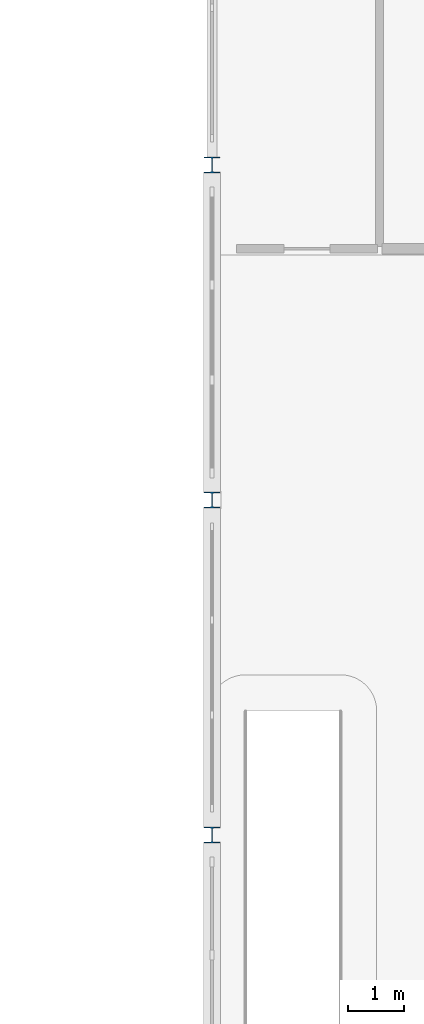
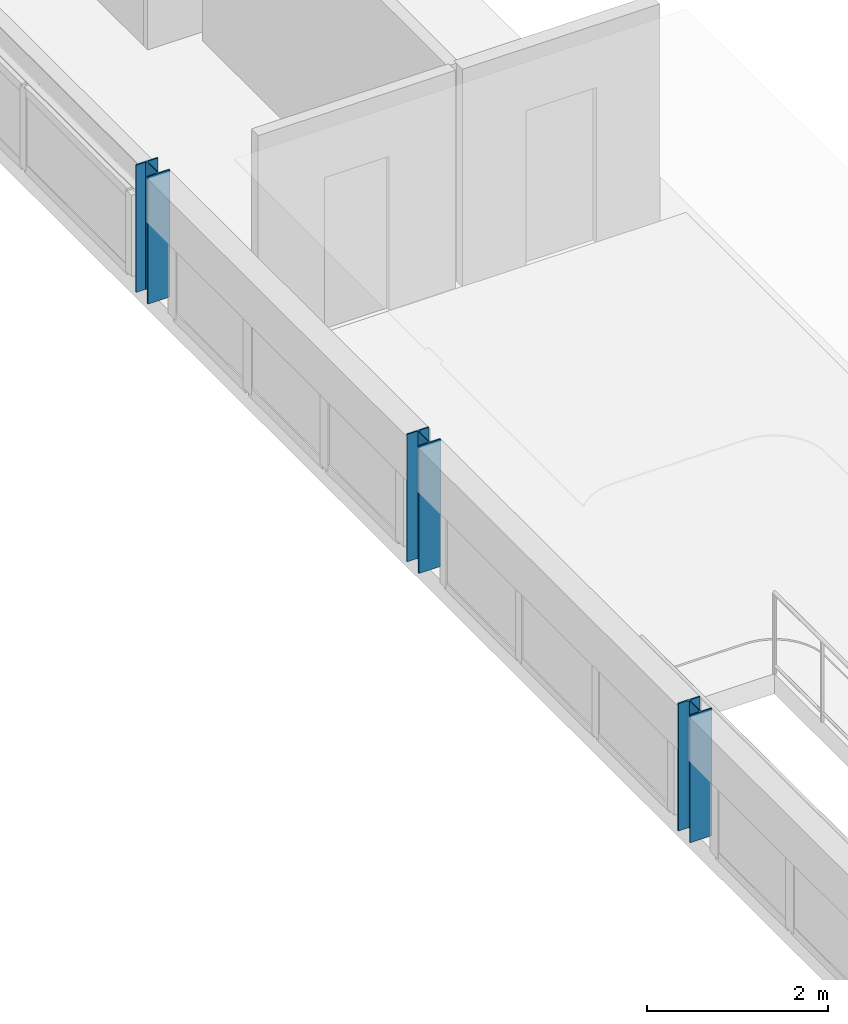
# One storey, part 2 of 137: 3 columns.
"""IFC4 building model written with IfcOpenShell, lengths in metres."""

from ifc_helpers import new_model, si_unit, direction, frame, origin, origin_2d, place, context, subcontext, project, spatial, i_section, extrude, material, material_profile, profile_set, type_object, element, save


model = new_model("IFC4")

# Units and contexts
model_context = context("Model", 3, precision=1e-05, world=origin(), true_north=direction((0.0, 1.0)))
body_context = subcontext(model_context, "Body", "Model", "MODEL_VIEW")
ifc_project = project(units=[si_unit("LENGTHUNIT", "METRE"), si_unit("AREAUNIT", "SQUARE_METRE"), si_unit("VOLUMEUNIT", "CUBIC_METRE"), si_unit("PLANEANGLEUNIT", "RADIAN"), si_unit("MASSUNIT", "GRAM", prefix="KILO"), si_unit("POWERUNIT", "WATT"), si_unit("THERMODYNAMICTEMPERATUREUNIT", "KELVIN")], contexts=[model_context])

# Site, building, storey
site_placement = place(None, origin())
site = spatial("IfcSite", under=ifc_project, at=site_placement, CompositionType="ELEMENT")
building_placement = place(site_placement, origin())
building = spatial("IfcBuilding", under=site, at=building_placement, Name="Ruvembo Vaulted Housing Court", CompositionType="ELEMENT")
storey_placement = place(building_placement, frame((0.0, 0.0, 4.5)))
storey = spatial("IfcBuildingStorey", under=building, at=storey_placement, Name="L01", CompositionType="ELEMENT", Elevation=4.5)

# Columns
ifc_material = material(Name="Steel S355J2", Category="steel")
ifc_material_profile = material_profile(ifc_material, i_section(OverallWidth=0.280029296875, OverallDepth=0.280029296875, WebThickness=0.010498046875, FlangeThickness=0.01806640625, FilletRadius=0.02392578125, at=origin_2d()), Name="HEB 280")
ifc_profile_set = profile_set([ifc_material_profile], Name="Steel S355J2")
column_type = type_object("IfcColumnType", Name="COL-ST-HEB280", PredefinedType="COLUMN", material=ifc_profile_set)
for number, where, z_axis, x_axis, name in (
    (1, (66.0, 48.0, 0.0), (0.0, 0.0, 1.0), (1.0, 0.0, 0.0), "L01 Column (66,48)"),
    (2, (66.0, 54.0, 0.0), (0.0, 0.0, 1.0), (1.0, 0.0, 0.0), "L01 Column (66,54)"),
    (3, (66.0, 60.0, 0.0), (0.0, 0.0, 1.0), (1.0, 0.0, 0.0), "L01 Column (66,60)"),
):
    element("IfcColumn", number, at=place(storey_placement, frame(where, z_axis=z_axis, x_axis=x_axis)), inside=storey, type_object=column_type, Name=name, PredefinedType="COLUMN", context=body_context, shape_type="SweptSolid", body=[
        extrude(i_section(OverallWidth=0.280029296875, OverallDepth=0.280029296875, WebThickness=0.010498046875, FlangeThickness=0.01806640625, FilletRadius=0.02392578125, at=origin_2d()), origin(), (0.0, 0.0, 1.0), 1.719970703125),
    ])

save(model, "model.ifc")
